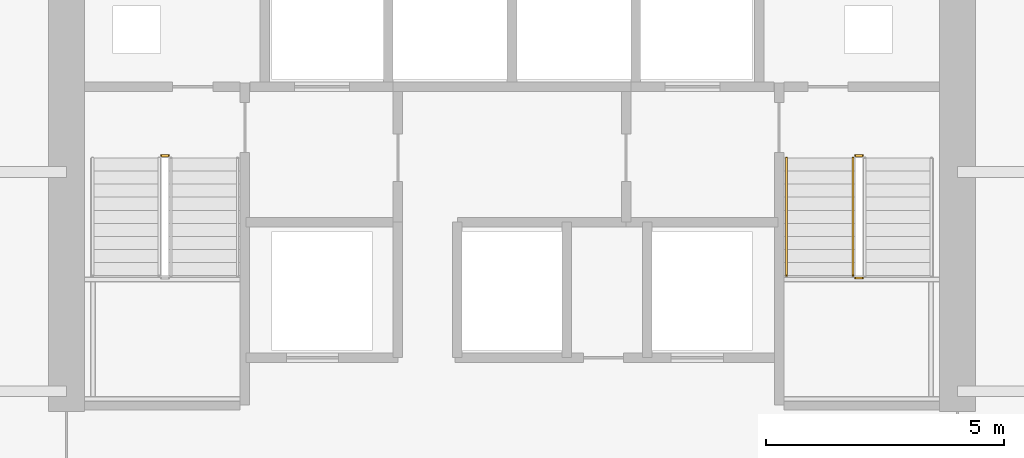
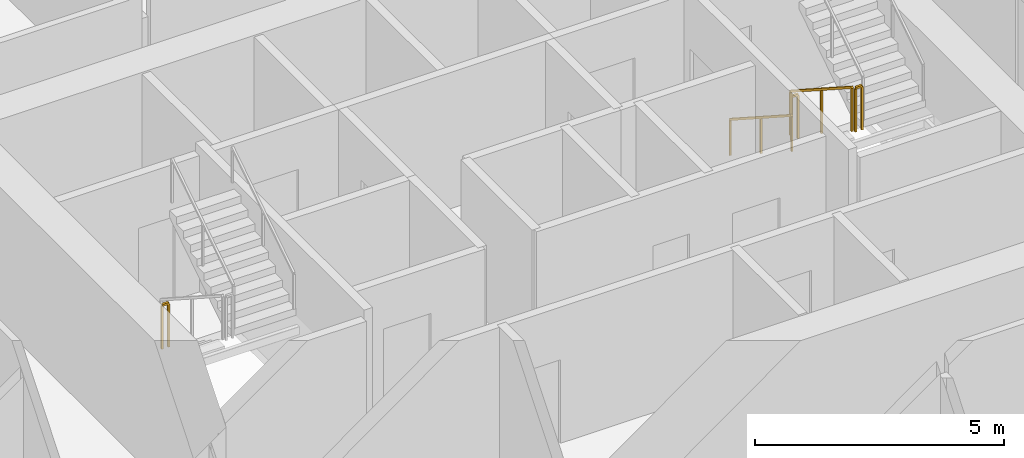
# One storey, part 10 of 11: 5 railings.
"""IFC4 building model written with IfcOpenShell, lengths in metres."""

from ifc_helpers import new_model, si_unit, direction, frame, origin, origin_2d, place, context, subcontext, project, spatial, rectangle, extrude, material, type_object, element, save


model = new_model("IFC4")

# Units and contexts
model_context = context("Model", 3, precision=1e-05, world=origin(), true_north=direction((0.0, 1.0)))
body_context = subcontext(model_context, "Body", "Model", "MODEL_VIEW")
ifc_project = project(units=[si_unit("LENGTHUNIT", "METRE"), si_unit("AREAUNIT", "SQUARE_METRE"), si_unit("VOLUMEUNIT", "CUBIC_METRE"), si_unit("PLANEANGLEUNIT", "RADIAN"), si_unit("MASSUNIT", "GRAM", prefix="KILO")], contexts=[model_context])

# Site, building, storey
site_placement = place(None, origin())
site = spatial("IfcSite", under=ifc_project, at=site_placement, CompositionType="ELEMENT")
building_placement = place(site_placement, origin())
building = spatial("IfcBuilding", under=site, at=building_placement, Name="Cinnabar Lancet Tower", CompositionType="ELEMENT")
storey_placement = place(building_placement, frame((0.0, 0.0, 101.949951171875)))
storey = spatial("IfcBuildingStorey", under=building, at=storey_placement, Name="L26", CompositionType="ELEMENT", Elevation=101.949951171875)

# Railings
ifc_material_1 = material(Name="Painted galvanized steel balustrade", Category="steel")
railing_type_1 = type_object("IfcRailingType", Name="GUARD-STAIR", PredefinedType="GUARDRAIL", material=ifc_material_1)
railing_1_placement = place(storey_placement, frame((25.02490234375, 28.449951171875, 0.0)))
element("IfcRailing", 1, at=railing_1_placement, inside=storey, type_object=railing_type_1, Name="L26 ST-1 stair guard 4", PredefinedType="GUARDRAIL", context=body_context, shape_type="SweptSolid", body=[
    extrude(rectangle(XDim=0.048095703125, YDim=0.048095703125, at=origin_2d()), frame((0.0, 0.0, 1.076171875), z_axis=(1.0, 0.0, 0.0), x_axis=(0.0, 1.0, 0.0)), (0.0, 0.0, 1.0), 0.150146484375),
    extrude(rectangle(XDim=0.0419921875, YDim=0.0419921875, at=origin_2d()), origin(), (0.0, 0.0, 1.0), 1.052001953125),
    extrude(rectangle(XDim=0.0419921875, YDim=0.0419921875, at=origin_2d()), frame((0.150146484375, 0.0, 0.0)), (0.0, 0.0, 1.0), 1.052001953125),
])
railing_2_placement = place(storey_placement, frame((39.574951171875, 28.39990234375, 0.177490234375)))
element("IfcRailing", 2, at=railing_2_placement, inside=storey, type_object=railing_type_1, Name="L26 ST-2 stair guard 1", PredefinedType="GUARDRAIL", context=body_context, shape_type="SweptSolid", body=[
    extrude(rectangle(XDim=0.048095703125, YDim=0.048095703125, at=origin_2d()), frame((0.0, 0.0, 1.076171875), z_axis=(0.0, -0.84014559416, 0.542360932049), x_axis=(1.0, 0.0, 0.0)), (0.0, 0.0, 1.0), 2.94580078125),
    extrude(rectangle(XDim=0.0419921875, YDim=0.0419921875, at=origin_2d()), origin(), (0.0, 0.0, 1.0), 1.052001953125),
    extrude(rectangle(XDim=0.0419921875, YDim=0.0419921875, at=origin_2d()), frame((0.0, -1.2373046875, 0.798828125)), (0.0, 0.0, 1.0), 1.052001953125),
    extrude(rectangle(XDim=0.0419921875, YDim=0.0419921875, at=origin_2d()), frame((0.0, -2.474853515625, 1.59765625)), (0.0, 0.0, 1.0), 1.052001953125),
])
for number, where, name in (
    (3, (39.625, 25.875, 1.775146484375), "L26 ST-2 stair guard 2"),
    (4, (39.625, 28.449951171875, 0.0), "L26 ST-2 stair guard 4"),
):
    element("IfcRailing", number, at=place(storey_placement, frame(where)), inside=storey, type_object=railing_type_1, Name=name, PredefinedType="GUARDRAIL", context=body_context, shape_type="SweptSolid", body=[
        extrude(rectangle(XDim=0.048095703125, YDim=0.048095703125, at=origin_2d()), frame((0.0, 0.0, 1.076171875), z_axis=(1.0, 0.0, 0.0), x_axis=(0.0, 1.0, 0.0)), (0.0, 0.0, 1.0), 0.14990234375),
        extrude(rectangle(XDim=0.0419921875, YDim=0.0419921875, at=origin_2d()), origin(), (0.0, 0.0, 1.0), 1.052001953125),
        extrude(rectangle(XDim=0.0419921875, YDim=0.0419921875, at=origin_2d()), frame((0.14990234375, 0.0, 0.0)), (0.0, 0.0, 1.0), 1.052001953125),
    ])
ifc_material_2 = material(Name="Brushed stainless steel handrail", Category="steel")
railing_type_2 = type_object("IfcRailingType", Name="HANDRAIL-STAIR", PredefinedType="HANDRAIL", material=ifc_material_2)
railing_3_placement = place(storey_placement, frame((38.175048828125, 28.39990234375, 0.177490234375)))
element("IfcRailing", 5, at=railing_3_placement, inside=storey, type_object=railing_type_2, Name="L26 ST-2 stair handrail 1", PredefinedType="HANDRAIL", context=body_context, shape_type="SweptSolid", body=[
    extrude(rectangle(XDim=0.048095703125, YDim=0.048095703125, at=origin_2d()), frame((0.0, 0.0, 0.8759765625), z_axis=(0.0, -0.84014559416, 0.542360932049), x_axis=(1.0, 0.0, 0.0)), (0.0, 0.0, 1.0), 2.94580078125),
    extrude(rectangle(XDim=0.0419921875, YDim=0.0419921875, at=origin_2d()), origin(), (0.0, 0.0, 1.0), 0.851806640625),
    extrude(rectangle(XDim=0.0419921875, YDim=0.0419921875, at=origin_2d()), frame((0.0, -1.2373046875, 0.798828125)), (0.0, 0.0, 1.0), 0.851806640625),
    extrude(rectangle(XDim=0.0419921875, YDim=0.0419921875, at=origin_2d()), frame((0.0, -2.474853515625, 1.59765625)), (0.0, 0.0, 1.0), 0.851806640625),
])

save(model, "model.ifc")
